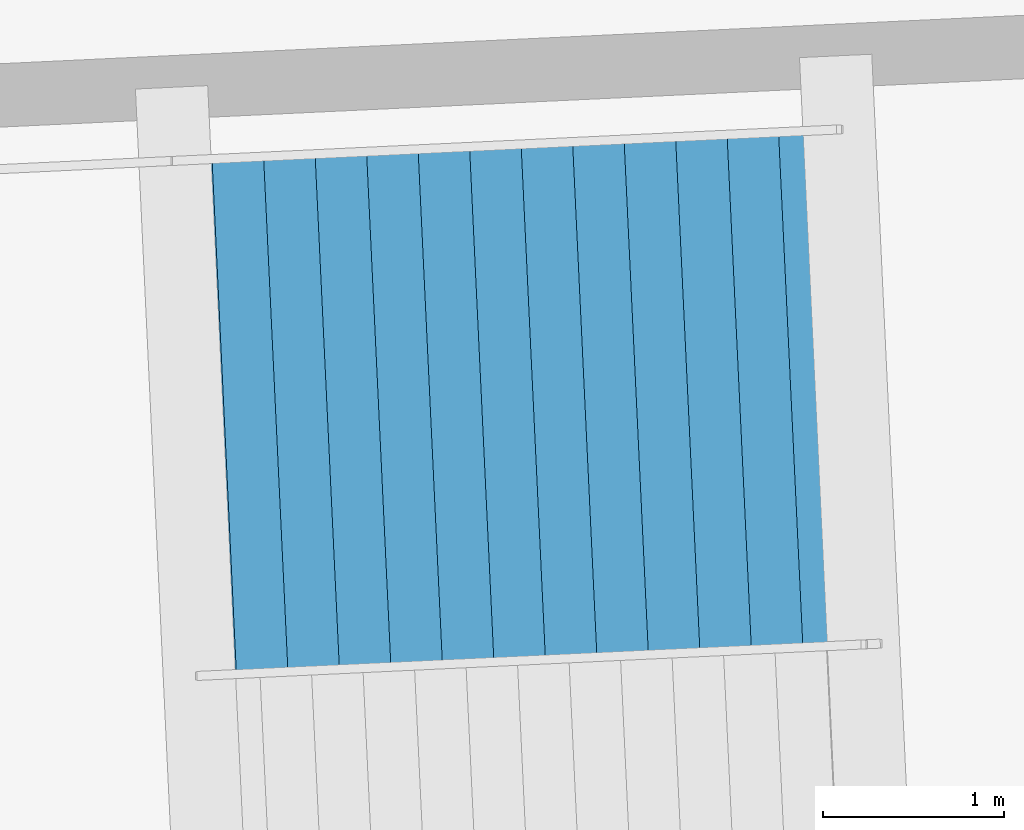
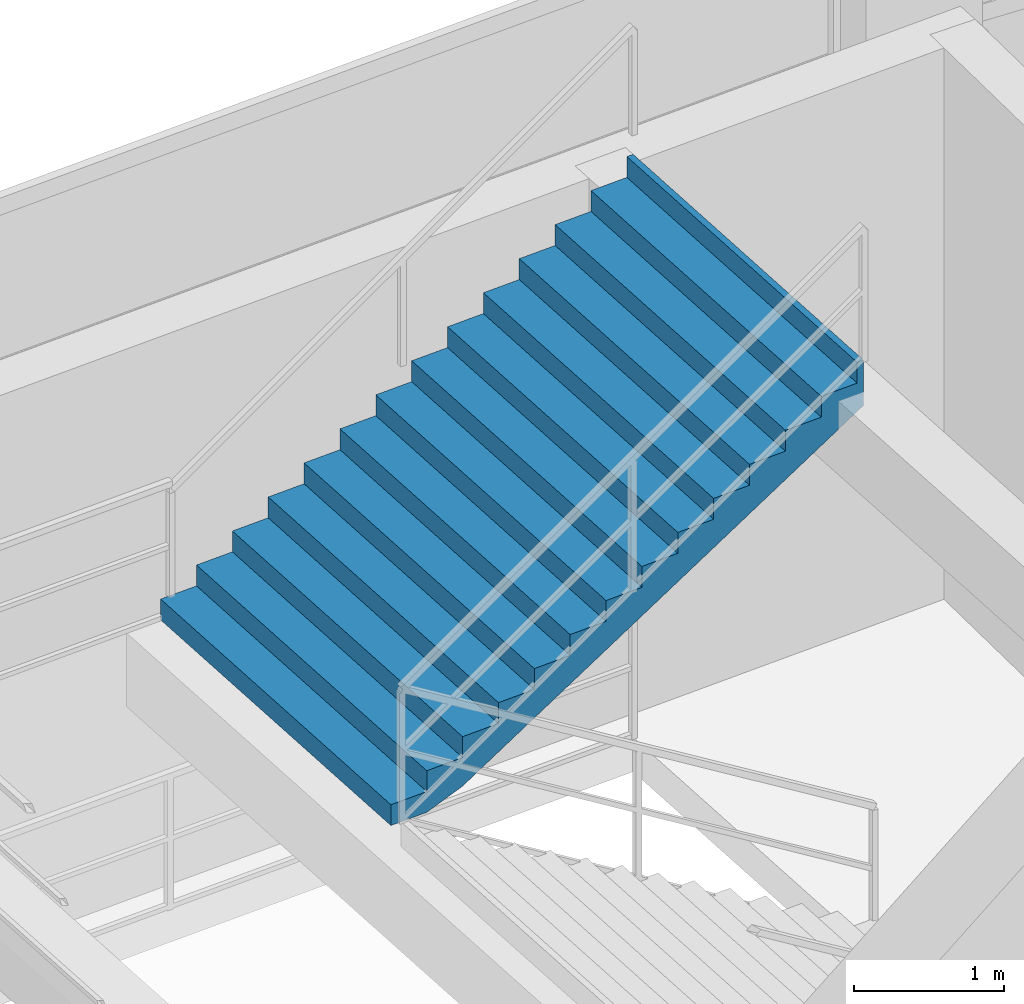
# One storey, part 137 of 156: 1 stair flight, 1 element without a shape of its own.
"""IFC4 building model written with IfcOpenShell, lengths in metres."""

from ifc_helpers import new_model, si_unit, direction, frame, origin, place, context, subcontext, project, spatial, polygons, material, type_object, element, aggregate, save


model = new_model("IFC4")

# Units and contexts
model_context = context("Model", 3, precision=1e-05, world=origin(), true_north=direction((0.0, 1.0)))
body_context = subcontext(model_context, "Body", "Model", "MODEL_VIEW")
ifc_project = project(units=[si_unit("LENGTHUNIT", "METRE"), si_unit("AREAUNIT", "SQUARE_METRE"), si_unit("VOLUMEUNIT", "CUBIC_METRE"), si_unit("PLANEANGLEUNIT", "RADIAN"), si_unit("MASSUNIT", "GRAM", prefix="KILO")], contexts=[model_context])

# Site, building, storey
site_placement = place(None, origin())
site = spatial("IfcSite", under=ifc_project, at=site_placement, CompositionType="ELEMENT")
building_placement = place(site_placement, origin())
building = spatial("IfcBuilding", under=site, at=building_placement, Name="Kazemori Nagisa Stadium", CompositionType="ELEMENT")
storey_placement = place(building_placement, frame((0.0, 0.0, 5.780029296875)))
storey = spatial("IfcBuildingStorey", under=building, at=storey_placement, Name="L01", CompositionType="ELEMENT", Elevation=5.780029296875)

# Stair, stair flight
ifc_material = material(Name="Concrete C36/45 (Fc36)", Category="concrete")
stair_type = type_object("IfcStairType", Name="Stair_CORE_28", PredefinedType="TWO_STRAIGHT_RUN_STAIR", material=ifc_material)
stair_placement = place(storey_placement, origin())
stair = element("IfcStair", 1, at=stair_placement, inside=storey, type_object=stair_type, Name="Exit stair ST05 L01", PredefinedType="TWO_STRAIGHT_RUN_STAIR")
stair_flight_type = type_object("IfcStairFlightType", Name="Flight_CORE_14", PredefinedType="STRAIGHT", material=ifc_material)
stair_flight_placement = place(storey_placement, frame((115.499755859375, 183.2314453125, 2.3798828125), z_axis=(0.0, 0.0, 1.0), x_axis=(0.998883292929, 0.047245815755, 0.0)))
stair_flight = element("IfcStairFlight", 2, at=stair_flight_placement, type_object=stair_flight_type, Name="Exit stair ST05 L01 flight 2", NumberOfRisers=14, NumberOfTreads=13, PredefinedType="STRAIGHT", RiserHeight=0.17, TreadLength=0.285, context=body_context, shape_type="Tessellation", body=[
    polygons([(0.0, -1.425048828125, 0.0), (0.0, -1.425048828125, 0.169921875), (0.284912109375, -1.425048828125, 0.169921875), (0.284912109375, -1.425048828125, 0.340087890625), (0.570068359375, -1.425048828125, 0.340087890625), (0.570068359375, -1.425048828125, 0.510009765625), (0.85498046875, -1.425048828125, 0.510009765625), (0.85498046875, -1.425048828125, 0.679931640625), (1.139892578125, -1.425048828125, 0.679931640625), (1.139892578125, -1.425048828125, 0.85009765625), (1.425048828125, -1.425048828125, 0.85009765625), (1.425048828125, -1.425048828125, 1.02001953125), (1.7099609375, -1.425048828125, 1.02001953125), (1.7099609375, -1.425048828125, 1.18994140625), (1.9951171875, -1.425048828125, 1.18994140625), (1.9951171875, -1.425048828125, 1.360107421875), (2.280029296875, -1.425048828125, 1.360107421875), (2.280029296875, -1.425048828125, 1.530029296875), (2.56494140625, -1.425048828125, 1.530029296875), (2.56494140625, -1.425048828125, 1.699951171875), (2.85009765625, -1.425048828125, 1.699951171875), (2.85009765625, -1.425048828125, 1.8701171875), (3.135009765625, -1.425048828125, 1.8701171875), (3.135009765625, -1.425048828125, 2.0400390625), (3.419921875, -1.425048828125, 2.0400390625), (3.419921875, -1.425048828125, 2.2099609375), (3.705078125, -1.425048828125, 2.2099609375), (3.705078125, -1.425048828125, 2.3798828125), (3.7548828125, -1.425048828125, 2.3798828125), (3.7548828125, -1.425048828125, 2.007080078125), (3.705078125, -1.425048828125, 1.977294921875), (3.419921875, -1.425048828125, 1.80712890625), (3.135009765625, -1.425048828125, 1.63720703125), (2.85009765625, -1.425048828125, 1.46728515625), (2.56494140625, -1.425048828125, 1.297119140625), (2.280029296875, -1.425048828125, 1.127197265625), (1.9951171875, -1.425048828125, 0.957275390625), (1.7099609375, -1.425048828125, 0.787109375), (1.425048828125, -1.425048828125, 0.6171875), (1.139892578125, -1.425048828125, 0.447265625), (0.85498046875, -1.425048828125, 0.277099609375), (0.570068359375, -1.425048828125, 0.107177734375), (0.284912109375, -1.425048828125, 0.0), (0.0, -0.08544921875, 0.0), (0.0, -0.08544921875, 0.169921875), (0.284912109375, -0.08544921875, 0.169921875), (0.284912109375, -0.08544921875, 0.340087890625), (0.570068359375, -0.08544921875, 0.340087890625), (0.570068359375, -0.08544921875, 0.510009765625), (0.85498046875, -0.08544921875, 0.510009765625), (0.85498046875, -0.08544921875, 0.679931640625), (1.139892578125, -0.08544921875, 0.679931640625), (1.139892578125, -0.08544921875, 0.85009765625), (1.425048828125, -0.08544921875, 0.85009765625), (1.425048828125, -0.08544921875, 1.02001953125), (1.7099609375, -0.08544921875, 1.02001953125), (1.7099609375, -0.08544921875, 1.18994140625), (1.9951171875, -0.08544921875, 1.18994140625), (1.9951171875, -0.08544921875, 1.360107421875), (2.280029296875, -0.08544921875, 1.360107421875), (2.280029296875, -0.08544921875, 1.530029296875), (2.56494140625, -0.08544921875, 1.530029296875), (2.56494140625, -0.08544921875, 1.699951171875), (2.85009765625, -0.08544921875, 1.699951171875), (2.85009765625, -0.08544921875, 1.8701171875), (3.135009765625, -0.08544921875, 1.8701171875), (3.135009765625, -0.08544921875, 2.0400390625), (3.419921875, -0.08544921875, 2.0400390625), (3.419921875, -0.08544921875, 2.2099609375), (3.705078125, -0.08544921875, 2.2099609375), (3.705078125, -0.08544921875, 2.3798828125), (3.7548828125, -0.08544921875, 2.3798828125), (3.7548828125, -0.08544921875, 2.007080078125), (3.705078125, -0.08544921875, 1.977294921875), (3.419921875, -0.08544921875, 1.80712890625), (3.135009765625, -0.08544921875, 1.63720703125), (2.85009765625, -0.08544921875, 1.46728515625), (2.56494140625, -0.08544921875, 1.297119140625), (2.280029296875, -0.08544921875, 1.127197265625), (1.9951171875, -0.08544921875, 0.957275390625), (1.7099609375, -0.08544921875, 0.787109375), (1.425048828125, -0.08544921875, 0.6171875), (1.139892578125, -0.08544921875, 0.447265625), (0.85498046875, -0.08544921875, 0.277099609375), (0.570068359375, -0.08544921875, 0.107177734375), (0.284912109375, -0.08544921875, 0.0), (0.0, 0.0, 0.0), (0.0, 0.0, 0.169921875), (0.284912109375, 0.0, 0.169921875), (0.284912109375, 0.0, 0.340087890625), (0.570068359375, 0.0, 0.340087890625), (0.570068359375, 0.0, 0.510009765625), (0.85498046875, 0.0, 0.510009765625), (0.85498046875, 0.0, 0.679931640625), (1.139892578125, 0.0, 0.679931640625), (1.139892578125, 0.0, 0.85009765625), (1.425048828125, 0.0, 0.85009765625), (1.425048828125, 0.0, 1.02001953125), (1.7099609375, 0.0, 1.02001953125), (1.7099609375, 0.0, 1.18994140625), (1.9951171875, 0.0, 1.18994140625), (1.9951171875, 0.0, 1.360107421875), (2.280029296875, 0.0, 1.360107421875), (2.280029296875, 0.0, 1.530029296875), (2.56494140625, 0.0, 1.530029296875), (2.56494140625, 0.0, 1.699951171875), (2.85009765625, 0.0, 1.699951171875), (2.85009765625, 0.0, 1.8701171875), (3.135009765625, 0.0, 1.8701171875), (3.135009765625, 0.0, 2.0400390625), (3.419921875, 0.0, 2.0400390625), (3.419921875, 0.0, 2.2099609375), (3.705078125, 0.0, 2.2099609375), (3.705078125, 0.0, 2.3798828125), (3.7548828125, 0.0, 2.3798828125), (3.7548828125, 0.0, 2.007080078125), (3.705078125, 0.0, 1.977294921875), (3.419921875, 0.0, 1.80712890625), (3.135009765625, 0.0, 1.63720703125), (2.85009765625, 0.0, 1.46728515625), (2.56494140625, 0.0, 1.297119140625), (2.280029296875, 0.0, 1.127197265625), (1.9951171875, 0.0, 0.957275390625), (1.7099609375, 0.0, 0.787109375), (1.425048828125, 0.0, 0.6171875), (1.139892578125, 0.0, 0.447265625), (0.85498046875, 0.0, 0.277099609375), (0.570068359375, 0.0, 0.107177734375), (0.284912109375, 0.0, 0.0), (0.0, 0.08544921875, 0.0), (0.0, 0.08544921875, 0.169921875), (0.284912109375, 0.08544921875, 0.169921875), (0.284912109375, 0.08544921875, 0.340087890625), (0.570068359375, 0.08544921875, 0.340087890625), (0.570068359375, 0.08544921875, 0.510009765625), (0.85498046875, 0.08544921875, 0.510009765625), (0.85498046875, 0.08544921875, 0.679931640625), (1.139892578125, 0.08544921875, 0.679931640625), (1.139892578125, 0.08544921875, 0.85009765625), (1.425048828125, 0.08544921875, 0.85009765625), (1.425048828125, 0.08544921875, 1.02001953125), (1.7099609375, 0.08544921875, 1.02001953125), (1.7099609375, 0.08544921875, 1.18994140625), (1.9951171875, 0.08544921875, 1.18994140625), (1.9951171875, 0.08544921875, 1.360107421875), (2.280029296875, 0.08544921875, 1.360107421875), (2.280029296875, 0.08544921875, 1.530029296875), (2.56494140625, 0.08544921875, 1.530029296875), (2.56494140625, 0.08544921875, 1.699951171875), (2.85009765625, 0.08544921875, 1.699951171875), (2.85009765625, 0.08544921875, 1.8701171875), (3.135009765625, 0.08544921875, 1.8701171875), (3.135009765625, 0.08544921875, 2.0400390625), (3.419921875, 0.08544921875, 2.0400390625), (3.419921875, 0.08544921875, 2.2099609375), (3.705078125, 0.08544921875, 2.2099609375), (3.705078125, 0.08544921875, 2.3798828125), (3.7548828125, 0.08544921875, 2.3798828125), (3.7548828125, 0.08544921875, 2.007080078125), (3.705078125, 0.08544921875, 1.977294921875), (3.419921875, 0.08544921875, 1.80712890625), (3.135009765625, 0.08544921875, 1.63720703125), (2.85009765625, 0.08544921875, 1.46728515625), (2.56494140625, 0.08544921875, 1.297119140625), (2.280029296875, 0.08544921875, 1.127197265625), (1.9951171875, 0.08544921875, 0.957275390625), (1.7099609375, 0.08544921875, 0.787109375), (1.425048828125, 0.08544921875, 0.6171875), (1.139892578125, 0.08544921875, 0.447265625), (0.85498046875, 0.08544921875, 0.277099609375), (0.570068359375, 0.08544921875, 0.107177734375), (0.284912109375, 0.08544921875, 0.0), (0.0, 1.425048828125, 0.0), (0.0, 1.425048828125, 0.169921875), (0.284912109375, 1.425048828125, 0.169921875), (0.284912109375, 1.425048828125, 0.340087890625), (0.570068359375, 1.425048828125, 0.340087890625), (0.570068359375, 1.425048828125, 0.510009765625), (0.85498046875, 1.425048828125, 0.510009765625), (0.85498046875, 1.425048828125, 0.679931640625), (1.139892578125, 1.425048828125, 0.679931640625), (1.139892578125, 1.425048828125, 0.85009765625), (1.425048828125, 1.425048828125, 0.85009765625), (1.425048828125, 1.425048828125, 1.02001953125), (1.7099609375, 1.425048828125, 1.02001953125), (1.7099609375, 1.425048828125, 1.18994140625), (1.9951171875, 1.425048828125, 1.18994140625), (1.9951171875, 1.425048828125, 1.360107421875), (2.280029296875, 1.425048828125, 1.360107421875), (2.280029296875, 1.425048828125, 1.530029296875), (2.56494140625, 1.425048828125, 1.530029296875), (2.56494140625, 1.425048828125, 1.699951171875), (2.85009765625, 1.425048828125, 1.699951171875), (2.85009765625, 1.425048828125, 1.8701171875), (3.135009765625, 1.425048828125, 1.8701171875), (3.135009765625, 1.425048828125, 2.0400390625), (3.419921875, 1.425048828125, 2.0400390625), (3.419921875, 1.425048828125, 2.2099609375), (3.705078125, 1.425048828125, 2.2099609375), (3.705078125, 1.425048828125, 2.3798828125), (3.7548828125, 1.425048828125, 2.3798828125), (3.7548828125, 1.425048828125, 2.007080078125), (3.705078125, 1.425048828125, 1.977294921875), (3.419921875, 1.425048828125, 1.80712890625), (3.135009765625, 1.425048828125, 1.63720703125), (2.85009765625, 1.425048828125, 1.46728515625), (2.56494140625, 1.425048828125, 1.297119140625), (2.280029296875, 1.425048828125, 1.127197265625), (1.9951171875, 1.425048828125, 0.957275390625), (1.7099609375, 1.425048828125, 0.787109375), (1.425048828125, 1.425048828125, 0.6171875), (1.139892578125, 1.425048828125, 0.447265625), (0.85498046875, 1.425048828125, 0.277099609375), (0.570068359375, 1.425048828125, 0.107177734375), (0.284912109375, 1.425048828125, 0.0)], [[[1, 2, 45]], [[1, 45, 44]], [[2, 3, 46]], [[2, 46, 45]], [[3, 4, 47]], [[3, 47, 46]], [[4, 5, 48]], [[4, 48, 47]], [[5, 6, 49]], [[5, 49, 48]], [[6, 7, 50]], [[6, 50, 49]], [[7, 8, 51]], [[7, 51, 50]], [[8, 9, 52]], [[8, 52, 51]], [[9, 10, 53]], [[9, 53, 52]], [[10, 11, 54]], [[10, 54, 53]], [[11, 12, 55]], [[11, 55, 54]], [[12, 13, 56]], [[12, 56, 55]], [[13, 14, 57]], [[13, 57, 56]], [[14, 15, 58]], [[14, 58, 57]], [[15, 16, 59]], [[15, 59, 58]], [[16, 17, 60]], [[16, 60, 59]], [[17, 18, 61]], [[17, 61, 60]], [[18, 19, 62]], [[18, 62, 61]], [[19, 20, 63]], [[19, 63, 62]], [[20, 21, 64]], [[20, 64, 63]], [[21, 22, 65]], [[21, 65, 64]], [[22, 23, 66]], [[22, 66, 65]], [[23, 24, 67]], [[23, 67, 66]], [[24, 25, 68]], [[24, 68, 67]], [[25, 26, 69]], [[25, 69, 68]], [[26, 27, 70]], [[26, 70, 69]], [[27, 28, 71]], [[27, 71, 70]], [[28, 29, 72]], [[28, 72, 71]], [[29, 30, 73]], [[29, 73, 72]], [[30, 31, 74]], [[30, 74, 73]], [[31, 32, 75]], [[31, 75, 74]], [[32, 33, 76]], [[32, 76, 75]], [[33, 34, 77]], [[33, 77, 76]], [[34, 35, 78]], [[34, 78, 77]], [[35, 36, 79]], [[35, 79, 78]], [[36, 37, 80]], [[36, 80, 79]], [[37, 38, 81]], [[37, 81, 80]], [[38, 39, 82]], [[38, 82, 81]], [[39, 40, 83]], [[39, 83, 82]], [[40, 41, 84]], [[40, 84, 83]], [[41, 42, 85]], [[41, 85, 84]], [[42, 43, 86]], [[42, 86, 85]], [[43, 1, 44]], [[43, 44, 86]], [[44, 45, 88]], [[44, 88, 87]], [[45, 46, 89]], [[45, 89, 88]], [[46, 47, 90]], [[46, 90, 89]], [[47, 48, 91]], [[47, 91, 90]], [[48, 49, 92]], [[48, 92, 91]], [[49, 50, 93]], [[49, 93, 92]], [[50, 51, 94]], [[50, 94, 93]], [[51, 52, 95]], [[51, 95, 94]], [[52, 53, 96]], [[52, 96, 95]], [[53, 54, 97]], [[53, 97, 96]], [[54, 55, 98]], [[54, 98, 97]], [[55, 56, 99]], [[55, 99, 98]], [[56, 57, 100]], [[56, 100, 99]], [[57, 58, 101]], [[57, 101, 100]], [[58, 59, 102]], [[58, 102, 101]], [[59, 60, 103]], [[59, 103, 102]], [[60, 61, 104]], [[60, 104, 103]], [[61, 62, 105]], [[61, 105, 104]], [[62, 63, 106]], [[62, 106, 105]], [[63, 64, 107]], [[63, 107, 106]], [[64, 65, 108]], [[64, 108, 107]], [[65, 66, 109]], [[65, 109, 108]], [[66, 67, 110]], [[66, 110, 109]], [[67, 68, 111]], [[67, 111, 110]], [[68, 69, 112]], [[68, 112, 111]], [[69, 70, 113]], [[69, 113, 112]], [[70, 71, 114]], [[70, 114, 113]], [[71, 72, 115]], [[71, 115, 114]], [[72, 73, 116]], [[72, 116, 115]], [[73, 74, 117]], [[73, 117, 116]], [[74, 75, 118]], [[74, 118, 117]], [[75, 76, 119]], [[75, 119, 118]], [[76, 77, 120]], [[76, 120, 119]], [[77, 78, 121]], [[77, 121, 120]], [[78, 79, 122]], [[78, 122, 121]], [[79, 80, 123]], [[79, 123, 122]], [[80, 81, 124]], [[80, 124, 123]], [[81, 82, 125]], [[81, 125, 124]], [[82, 83, 126]], [[82, 126, 125]], [[83, 84, 127]], [[83, 127, 126]], [[84, 85, 128]], [[84, 128, 127]], [[85, 86, 129]], [[85, 129, 128]], [[86, 44, 87]], [[86, 87, 129]], [[87, 88, 131]], [[87, 131, 130]], [[88, 89, 132]], [[88, 132, 131]], [[89, 90, 133]], [[89, 133, 132]], [[90, 91, 134]], [[90, 134, 133]], [[91, 92, 135]], [[91, 135, 134]], [[92, 93, 136]], [[92, 136, 135]], [[93, 94, 137]], [[93, 137, 136]], [[94, 95, 138]], [[94, 138, 137]], [[95, 96, 139]], [[95, 139, 138]], [[96, 97, 140]], [[96, 140, 139]], [[97, 98, 141]], [[97, 141, 140]], [[98, 99, 142]], [[98, 142, 141]], [[99, 100, 143]], [[99, 143, 142]], [[100, 101, 144]], [[100, 144, 143]], [[101, 102, 145]], [[101, 145, 144]], [[102, 103, 146]], [[102, 146, 145]], [[103, 104, 147]], [[103, 147, 146]], [[104, 105, 148]], [[104, 148, 147]], [[105, 106, 149]], [[105, 149, 148]], [[106, 107, 150]], [[106, 150, 149]], [[107, 108, 151]], [[107, 151, 150]], [[108, 109, 152]], [[108, 152, 151]], [[109, 110, 153]], [[109, 153, 152]], [[110, 111, 154]], [[110, 154, 153]], [[111, 112, 155]], [[111, 155, 154]], [[112, 113, 156]], [[112, 156, 155]], [[113, 114, 157]], [[113, 157, 156]], [[114, 115, 158]], [[114, 158, 157]], [[115, 116, 159]], [[115, 159, 158]], [[116, 117, 160]], [[116, 160, 159]], [[117, 118, 161]], [[117, 161, 160]], [[118, 119, 162]], [[118, 162, 161]], [[119, 120, 163]], [[119, 163, 162]], [[120, 121, 164]], [[120, 164, 163]], [[121, 122, 165]], [[121, 165, 164]], [[122, 123, 166]], [[122, 166, 165]], [[123, 124, 167]], [[123, 167, 166]], [[124, 125, 168]], [[124, 168, 167]], [[125, 126, 169]], [[125, 169, 168]], [[126, 127, 170]], [[126, 170, 169]], [[127, 128, 171]], [[127, 171, 170]], [[128, 129, 172]], [[128, 172, 171]], [[129, 87, 130]], [[129, 130, 172]], [[130, 131, 174]], [[130, 174, 173]], [[131, 132, 175]], [[131, 175, 174]], [[132, 133, 176]], [[132, 176, 175]], [[133, 134, 177]], [[133, 177, 176]], [[134, 135, 178]], [[134, 178, 177]], [[135, 136, 179]], [[135, 179, 178]], [[136, 137, 180]], [[136, 180, 179]], [[137, 138, 181]], [[137, 181, 180]], [[138, 139, 182]], [[138, 182, 181]], [[139, 140, 183]], [[139, 183, 182]], [[140, 141, 184]], [[140, 184, 183]], [[141, 142, 185]], [[141, 185, 184]], [[142, 143, 186]], [[142, 186, 185]], [[143, 144, 187]], [[143, 187, 186]], [[144, 145, 188]], [[144, 188, 187]], [[145, 146, 189]], [[145, 189, 188]], [[146, 147, 190]], [[146, 190, 189]], [[147, 148, 191]], [[147, 191, 190]], [[148, 149, 192]], [[148, 192, 191]], [[149, 150, 193]], [[149, 193, 192]], [[150, 151, 194]], [[150, 194, 193]], [[151, 152, 195]], [[151, 195, 194]], [[152, 153, 196]], [[152, 196, 195]], [[153, 154, 197]], [[153, 197, 196]], [[154, 155, 198]], [[154, 198, 197]], [[155, 156, 199]], [[155, 199, 198]], [[156, 157, 200]], [[156, 200, 199]], [[157, 158, 201]], [[157, 201, 200]], [[158, 159, 202]], [[158, 202, 201]], [[159, 160, 203]], [[159, 203, 202]], [[160, 161, 204]], [[160, 204, 203]], [[161, 162, 205]], [[161, 205, 204]], [[162, 163, 206]], [[162, 206, 205]], [[163, 164, 207]], [[163, 207, 206]], [[164, 165, 208]], [[164, 208, 207]], [[165, 166, 209]], [[165, 209, 208]], [[166, 167, 210]], [[166, 210, 209]], [[167, 168, 211]], [[167, 211, 210]], [[168, 169, 212]], [[168, 212, 211]], [[169, 170, 213]], [[169, 213, 212]], [[170, 171, 214]], [[170, 214, 213]], [[171, 172, 215]], [[171, 215, 214]], [[172, 130, 173]], [[172, 173, 215]], [[3, 2, 1]], [[173, 174, 175]], [[43, 3, 1]], [[173, 175, 215]], [[42, 3, 43]], [[215, 175, 214]], [[5, 3, 42]], [[214, 175, 177]], [[5, 4, 3]], [[175, 176, 177]], [[41, 5, 42]], [[214, 177, 213]], [[7, 5, 41]], [[213, 177, 179]], [[7, 6, 5]], [[177, 178, 179]], [[40, 7, 41]], [[213, 179, 212]], [[9, 7, 40]], [[212, 179, 181]], [[9, 8, 7]], [[179, 180, 181]], [[39, 9, 40]], [[212, 181, 211]], [[11, 9, 39]], [[211, 181, 183]], [[11, 10, 9]], [[181, 182, 183]], [[38, 11, 39]], [[211, 183, 210]], [[13, 11, 38]], [[210, 183, 185]], [[13, 12, 11]], [[183, 184, 185]], [[37, 13, 38]], [[210, 185, 209]], [[15, 13, 37]], [[209, 185, 187]], [[15, 14, 13]], [[185, 186, 187]], [[36, 15, 37]], [[209, 187, 208]], [[17, 15, 36]], [[208, 187, 189]], [[17, 16, 15]], [[187, 188, 189]], [[35, 17, 36]], [[208, 189, 207]], [[19, 17, 35]], [[207, 189, 191]], [[19, 18, 17]], [[189, 190, 191]], [[34, 19, 35]], [[207, 191, 206]], [[21, 19, 34]], [[206, 191, 193]], [[21, 20, 19]], [[191, 192, 193]], [[33, 21, 34]], [[206, 193, 205]], [[23, 21, 33]], [[205, 193, 195]], [[23, 22, 21]], [[193, 194, 195]], [[32, 23, 33]], [[205, 195, 204]], [[25, 23, 32]], [[204, 195, 197]], [[25, 24, 23]], [[195, 196, 197]], [[31, 25, 32]], [[204, 197, 203]], [[27, 25, 31]], [[203, 197, 199]], [[27, 26, 25]], [[197, 198, 199]], [[30, 27, 31]], [[203, 199, 202]], [[29, 27, 30]], [[202, 199, 201]], [[29, 28, 27]], [[199, 200, 201]]], closed=True),
])
aggregate(stair, [stair_flight])

save(model, "model.ifc")
